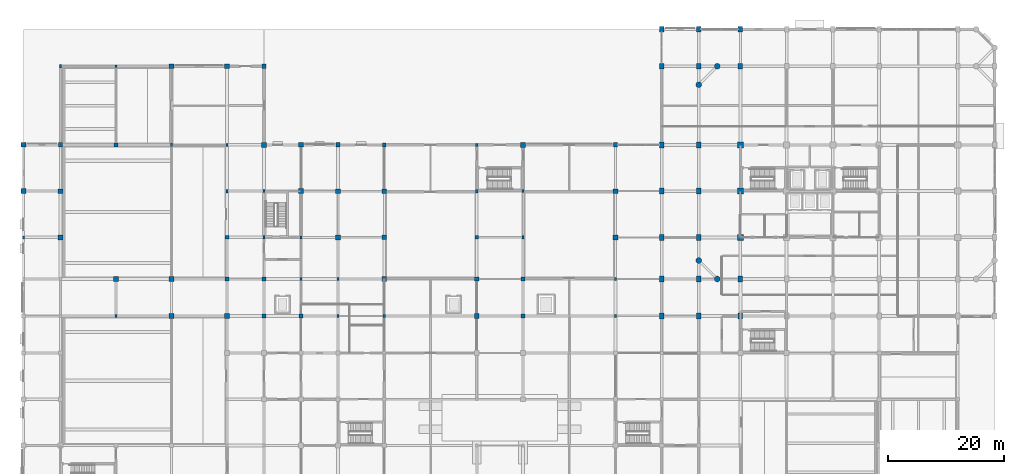
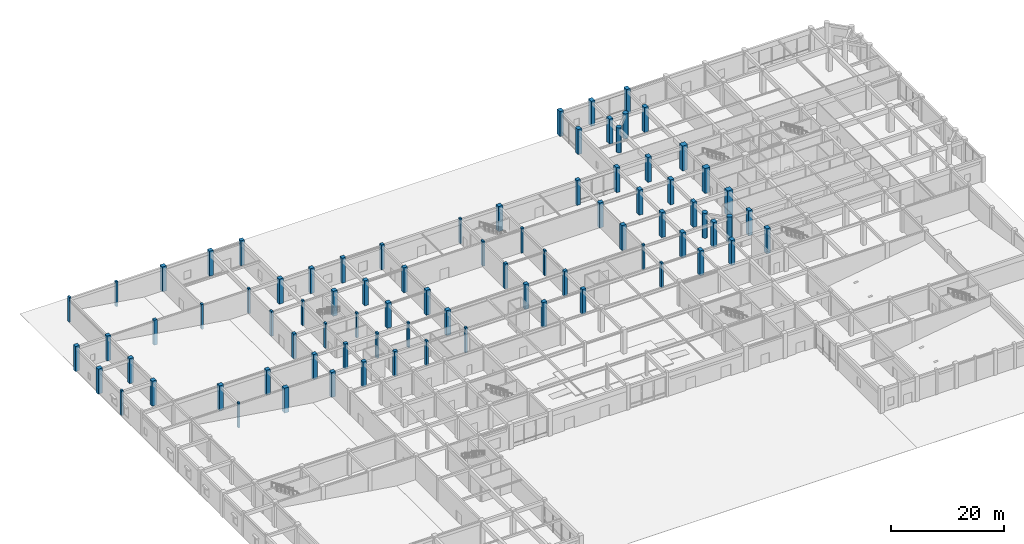
# One storey, part 2 of 40: 82 columns.
"""IFC4 building model written with IfcOpenShell, lengths in metres."""

from ifc_helpers import new_model, si_unit, direction, frame, origin, origin_2d, place, context, subcontext, project, spatial, rectangle, circle, extrude, material, material_profile, profile_set, type_object, element, save


model = new_model("IFC4")

# Units and contexts
model_context = context("Model", 3, precision=1e-05, world=origin(), true_north=direction((0.0, 1.0)))
body_context = subcontext(model_context, "Body", "Model", "MODEL_VIEW")
ifc_project = project(units=[si_unit("LENGTHUNIT", "METRE"), si_unit("AREAUNIT", "SQUARE_METRE"), si_unit("VOLUMEUNIT", "CUBIC_METRE"), si_unit("PLANEANGLEUNIT", "RADIAN"), si_unit("MASSUNIT", "GRAM", prefix="KILO")], contexts=[model_context])

# Site, building, storey
site_placement = place(None, origin())
site = spatial("IfcSite", under=ifc_project, at=site_placement, CompositionType="ELEMENT")
building_placement = place(site_placement, origin())
building = spatial("IfcBuilding", under=site, at=building_placement, Name="Vellmiral Cinema and Media Centre", CompositionType="ELEMENT")
storey_placement = place(building_placement, origin())
storey = spatial("IfcBuildingStorey", under=building, at=storey_placement, Name="L00", CompositionType="ELEMENT", Elevation=0.0)

# Columns
ifc_material_1 = material(Name="Concrete C40/50", Category="concrete")
ifc_material_profile_1 = material_profile(ifc_material_1, rectangle(XDim=1.050048828125, YDim=1.050048828125, at=origin_2d()), Name="RC 1050x1050")
ifc_profile_set_1 = profile_set([ifc_material_profile_1], Name="Concrete C40/50")
column_type_1 = type_object("IfcColumnType", Name="COL-RC-1050x1050", PredefinedType="COLUMN", material=ifc_profile_set_1)
for number, where, z_axis, x_axis, name in (
    (1, (124.0, 79.199951171875, 0.0), (0.0, 0.0, 1.0), (1.0, 0.0, 0.0), "Column L00-160"),
    (2, (124.0, 87.199951171875, 0.0), (0.0, 0.0, 1.0), (1.0, 0.0, 0.0), "Column L00-161"),
    (3, (124.0, 95.199951171875, 0.0), (0.0, 0.0, 1.0), (1.0, 0.0, 0.0), "Column L00-162"),
):
    element("IfcColumn", number, at=place(storey_placement, frame(where, z_axis=z_axis, x_axis=x_axis)), inside=storey, type_object=column_type_1, Name=name, PredefinedType="COLUMN", context=body_context, shape_type="SweptSolid", body=[
        extrude(rectangle(XDim=1.050048828125, YDim=1.050048828125, at=origin_2d()), origin(), (0.0, 0.0, 1.0), 5.39990234375),
    ])
ifc_material_2 = material(Name="Concrete C40/50", Category="concrete")
ifc_material_profile_2 = material_profile(ifc_material_2, rectangle(XDim=0.39990234375, YDim=0.5, at=origin_2d()), Name="RC 400x500")
ifc_profile_set_2 = profile_set([ifc_material_profile_2], Name="Concrete C40/50")
column_type_2 = type_object("IfcColumnType", Name="COL-RC-400x500", PredefinedType="COLUMN", material=ifc_profile_set_2)
for number, where, z_axis, x_axis, name in (
    (4, (0.0, 79.199951171875, 0.0), (0.0, 0.0, 1.0), (1.0, 0.0, 0.0), "Column L00-009"),
    (5, (16.0, 65.60009765625, 0.0), (0.0, 0.0, 1.0), (1.0, 0.0, 0.0), "Column L00-029"),
    (6, (16.0, 108.800048828125, 0.0), (0.0, 0.0, 1.0), (1.0, 0.0, 0.0), "Column L00-032"),
    (7, (35.199951171875, 95.199951171875, 0.0), (0.0, 0.0, 1.0), (1.0, 0.0, 0.0), "Column L00-052"),
    (8, (41.60009765625, 87.199951171875, 0.0), (0.0, 0.0, 1.0), (1.0, 0.0, 0.0), "Column L00-064"),
    (9, (48.0, 79.199951171875, 0.0), (0.0, 0.0, 1.0), (1.0, 0.0, 0.0), "Column L00-076"),
    (10, (54.39990234375, 72.0, 0.0), (0.0, 0.0, 1.0), (1.0, 0.0, 0.0), "Column L00-084"),
    (11, (62.39990234375, 65.60009765625, 0.0), (0.0, 0.0, 1.0), (1.0, 0.0, 0.0), "Column L00-092"),
    (12, (78.39990234375, 95.199951171875, 0.0), (0.0, 0.0, 1.0), (1.0, 0.0, 0.0), "Column L00-105"),
    (13, (86.39990234375, 87.199951171875, 0.0), (0.0, 0.0, 1.0), (1.0, 0.0, 0.0), "Column L00-113"),
    (14, (102.39990234375, 72.0, 0.0), (0.0, 0.0, 1.0), (1.0, 0.0, 0.0), "Column L00-120"),
):
    element("IfcColumn", number, at=place(storey_placement, frame(where, z_axis=z_axis, x_axis=x_axis)), inside=storey, type_object=column_type_2, Name=name, PredefinedType="COLUMN", context=body_context, shape_type="SweptSolid", body=[
        extrude(rectangle(XDim=0.39990234375, YDim=0.5, at=origin_2d()), origin(), (0.0, 0.0, 1.0), 5.39990234375),
    ])
ifc_material_3 = material(Name="Concrete C40/50", Category="concrete")
ifc_material_profile_3 = material_profile(ifc_material_3, rectangle(XDim=0.39990234375, YDim=0.60009765625, at=origin_2d()), Name="RC 400x600")
ifc_profile_set_3 = profile_set([ifc_material_profile_3], Name="Concrete C40/50")
column_type_3 = type_object("IfcColumnType", Name="COL-RC-400x600", PredefinedType="COLUMN", material=ifc_profile_set_3)
for number, where, z_axis, x_axis, name in (
    (15, (6.39990234375, 108.800048828125, 0.0), (0.0, 0.0, 1.0), (1.0, 0.0, 0.0), "Column L00-024"),
    (16, (25.60009765625, 95.199951171875, 0.0), (0.0, 0.0, 1.0), (1.0, 0.0, 0.0), "Column L00-039"),
    (17, (35.199951171875, 87.199951171875, 0.0), (0.0, 0.0, 1.0), (1.0, 0.0, 0.0), "Column L00-051"),
    (18, (41.60009765625, 79.199951171875, 0.0), (0.0, 0.0, 1.0), (1.0, 0.0, 0.0), "Column L00-063"),
    (19, (48.0, 72.0, 0.0), (0.0, 0.0, 1.0), (1.0, 0.0, 0.0), "Column L00-075"),
    (20, (54.39990234375, 65.60009765625, 0.0), (0.0, 0.0, 1.0), (1.0, 0.0, 0.0), "Column L00-083"),
    (21, (78.39990234375, 87.199951171875, 0.0), (0.0, 0.0, 1.0), (1.0, 0.0, 0.0), "Column L00-104"),
    (22, (86.39990234375, 79.199951171875, 0.0), (0.0, 0.0, 1.0), (1.0, 0.0, 0.0), "Column L00-112"),
    (23, (102.39990234375, 65.60009765625, 0.0), (0.0, 0.0, 1.0), (1.0, 0.0, 0.0), "Column L00-119"),
):
    element("IfcColumn", number, at=place(storey_placement, frame(where, z_axis=z_axis, x_axis=x_axis)), inside=storey, type_object=column_type_3, Name=name, PredefinedType="COLUMN", context=body_context, shape_type="SweptSolid", body=[
        extrude(rectangle(XDim=0.39990234375, YDim=0.60009765625, at=origin_2d()), origin(), (0.0, 0.0, 1.0), 5.39990234375),
    ])
ifc_material_4 = material(Name="Concrete C40/50", Category="concrete")
ifc_material_profile_4 = material_profile(ifc_material_4, rectangle(XDim=0.64990234375, YDim=0.64990234375, at=origin_2d()), Name="RC 650x650")
ifc_profile_set_4 = profile_set([ifc_material_profile_4], Name="Concrete C40/50")
column_type_4 = type_object("IfcColumnType", Name="COL-RC-650x650", PredefinedType="COLUMN", material=ifc_profile_set_4)
for number, where, z_axis, x_axis, name in (
    (24, (16.0, 95.199951171875, 0.0), (0.0, 0.0, 1.0), (1.0, 0.0, 0.0), "Column L00-031"),
    (25, (35.199951171875, 79.199951171875, 0.0), (0.0, 0.0, 1.0), (1.0, 0.0, 0.0), "Column L00-050"),
    (26, (41.60009765625, 72.0, 0.0), (0.0, 0.0, 1.0), (1.0, 0.0, 0.0), "Column L00-062"),
    (27, (48.0, 65.60009765625, 0.0), (0.0, 0.0, 1.0), (1.0, 0.0, 0.0), "Column L00-074"),
    (28, (62.39990234375, 95.199951171875, 0.0), (0.0, 0.0, 1.0), (1.0, 0.0, 0.0), "Column L00-096"),
    (29, (78.39990234375, 79.199951171875, 0.0), (0.0, 0.0, 1.0), (1.0, 0.0, 0.0), "Column L00-103"),
    (30, (86.39990234375, 72.0, 0.0), (0.0, 0.0, 1.0), (1.0, 0.0, 0.0), "Column L00-111"),
):
    element("IfcColumn", number, at=place(storey_placement, frame(where, z_axis=z_axis, x_axis=x_axis)), inside=storey, type_object=column_type_4, Name=name, PredefinedType="COLUMN", context=body_context, shape_type="SweptSolid", body=[
        extrude(rectangle(XDim=0.64990234375, YDim=0.64990234375, at=origin_2d()), origin(), (0.0, 0.0, 1.0), 5.39990234375),
    ])
ifc_material_5 = material(Name="Concrete C40/50", Category="concrete")
ifc_material_profile_5 = material_profile(ifc_material_5, rectangle(XDim=0.75, YDim=1.0, at=origin_2d()), Name="RC 750x1000")
ifc_profile_set_5 = profile_set([ifc_material_profile_5], Name="Concrete C40/50")
column_type_5 = type_object("IfcColumnType", Name="COL-RC-750x1000", PredefinedType="COLUMN", material=ifc_profile_set_5)
for number, where, z_axis, x_axis, name in (
    (31, (110.39990234375, 65.60009765625, 0.0), (0.0, 0.0, 1.0), (1.0, 0.0, 0.0), "Column L00-128"),
    (32, (110.39990234375, 72.0, 0.0), (0.0, 0.0, 1.0), (1.0, 0.0, 0.0), "Column L00-129"),
    (33, (110.39990234375, 79.199951171875, 0.0), (0.0, 0.0, 1.0), (1.0, 0.0, 0.0), "Column L00-130"),
    (34, (110.39990234375, 87.199951171875, 0.0), (0.0, 0.0, 1.0), (1.0, 0.0, 0.0), "Column L00-131"),
    (35, (110.39990234375, 95.199951171875, 0.0), (0.0, 0.0, 1.0), (1.0, 0.0, 0.0), "Column L00-132"),
    (36, (110.39990234375, 108.800048828125, 0.0), (0.0, 0.0, 1.0), (1.0, 0.0, 0.0), "Column L00-133"),
    (37, (110.39990234375, 115.199951171875, 0.0), (0.0, 0.0, 1.0), (1.0, 0.0, 0.0), "Column L00-134"),
    (38, (116.800048828125, 65.60009765625, 0.0), (0.0, 0.0, 1.0), (1.0, 0.0, 0.0), "Column L00-141"),
    (39, (116.800048828125, 72.0, 0.0), (0.0, 0.0, 1.0), (1.0, 0.0, 0.0), "Column L00-142"),
    (40, (116.800048828125, 79.199951171875, 0.0), (0.0, 0.0, 1.0), (1.0, 0.0, 0.0), "Column L00-144"),
    (41, (116.800048828125, 87.199951171875, 0.0), (0.0, 0.0, 1.0), (1.0, 0.0, 0.0), "Column L00-145"),
    (42, (116.800048828125, 95.199951171875, 0.0), (0.0, 0.0, 1.0), (1.0, 0.0, 0.0), "Column L00-146"),
    (43, (116.800048828125, 108.800048828125, 0.0), (0.0, 0.0, 1.0), (1.0, 0.0, 0.0), "Column L00-148"),
    (44, (116.800048828125, 115.199951171875, 0.0), (0.0, 0.0, 1.0), (1.0, 0.0, 0.0), "Column L00-149"),
    (45, (124.0, 65.60009765625, 0.0), (0.0, 0.0, 1.0), (1.0, 0.0, 0.0), "Column L00-158"),
    (46, (124.0, 72.0, 0.0), (0.0, 0.0, 1.0), (1.0, 0.0, 0.0), "Column L00-159"),
    (47, (124.0, 108.800048828125, 0.0), (0.0, 0.0, 1.0), (1.0, 0.0, 0.0), "Column L00-163"),
    (48, (124.0, 115.199951171875, 0.0), (0.0, 0.0, 1.0), (1.0, 0.0, 0.0), "Column L00-164"),
):
    element("IfcColumn", number, at=place(storey_placement, frame(where, z_axis=z_axis, x_axis=x_axis)), inside=storey, type_object=column_type_5, Name=name, PredefinedType="COLUMN", context=body_context, shape_type="SweptSolid", body=[
        extrude(rectangle(XDim=0.75, YDim=1.0, at=origin_2d()), origin(), (0.0, 0.0, 1.0), 5.39990234375),
    ])
ifc_material_6 = material(Name="Concrete C40/50", Category="concrete")
ifc_material_profile_6 = material_profile(ifc_material_6, rectangle(XDim=0.75, YDim=0.75, at=origin_2d()), Name="RC 750x750")
ifc_profile_set_6 = profile_set([ifc_material_profile_6], Name="Concrete C40/50")
column_type_6 = type_object("IfcColumnType", Name="COL-RC-750x750", PredefinedType="COLUMN", material=ifc_profile_set_6)
for number, where, z_axis, x_axis, name in (
    (49, (6.39990234375, 95.199951171875, 0.0), (0.0, 0.0, 1.0), (1.0, 0.0, 0.0), "Column L00-023"),
    (50, (35.199951171875, 72.0, 0.0), (0.0, 0.0, 1.0), (1.0, 0.0, 0.0), "Column L00-049"),
    (51, (41.60009765625, 65.60009765625, 0.0), (0.0, 0.0, 1.0), (1.0, 0.0, 0.0), "Column L00-061"),
    (52, (41.60009765625, 108.800048828125, 0.0), (0.0, 0.0, 1.0), (1.0, 0.0, 0.0), "Column L00-066"),
    (53, (54.39990234375, 95.199951171875, 0.0), (0.0, 0.0, 1.0), (1.0, 0.0, 0.0), "Column L00-087"),
    (54, (62.39990234375, 87.199951171875, 0.0), (0.0, 0.0, 1.0), (1.0, 0.0, 0.0), "Column L00-095"),
    (55, (78.39990234375, 72.0, 0.0), (0.0, 0.0, 1.0), (1.0, 0.0, 0.0), "Column L00-102"),
    (56, (86.39990234375, 65.60009765625, 0.0), (0.0, 0.0, 1.0), (1.0, 0.0, 0.0), "Column L00-110"),
    (57, (102.39990234375, 95.199951171875, 0.0), (0.0, 0.0, 1.0), (1.0, 0.0, 0.0), "Column L00-123"),
):
    element("IfcColumn", number, at=place(storey_placement, frame(where, z_axis=z_axis, x_axis=x_axis)), inside=storey, type_object=column_type_6, Name=name, PredefinedType="COLUMN", context=body_context, shape_type="SweptSolid", body=[
        extrude(rectangle(XDim=0.75, YDim=0.75, at=origin_2d()), origin(), (0.0, 0.0, 1.0), 5.39990234375),
    ])
ifc_material_7 = material(Name="Concrete C40/50", Category="concrete")
ifc_material_profile_7 = material_profile(ifc_material_7, rectangle(XDim=0.800048828125, YDim=0.800048828125, at=origin_2d()), Name="RC 800x800")
ifc_profile_set_7 = profile_set([ifc_material_profile_7], Name="Concrete C40/50")
column_type_7 = type_object("IfcColumnType", Name="COL-RC-800x800", PredefinedType="COLUMN", material=ifc_profile_set_7)
for number, where, z_axis, x_axis, name in (
    (58, (0.0, 95.199951171875, 0.0), (0.0, 0.0, 1.0), (1.0, 0.0, 0.0), "Column L00-011"),
    (59, (6.39990234375, 87.199951171875, 0.0), (0.0, 0.0, 1.0), (1.0, 0.0, 0.0), "Column L00-022"),
    (60, (25.60009765625, 72.0, 0.0), (0.0, 0.0, 1.0), (1.0, 0.0, 0.0), "Column L00-038"),
    (61, (35.199951171875, 65.60009765625, 0.0), (0.0, 0.0, 1.0), (1.0, 0.0, 0.0), "Column L00-048"),
    (62, (35.199951171875, 108.800048828125, 0.0), (0.0, 0.0, 1.0), (1.0, 0.0, 0.0), "Column L00-053"),
    (63, (48.0, 95.199951171875, 0.0), (0.0, 0.0, 1.0), (1.0, 0.0, 0.0), "Column L00-078"),
    (64, (54.39990234375, 87.199951171875, 0.0), (0.0, 0.0, 1.0), (1.0, 0.0, 0.0), "Column L00-086"),
    (65, (62.39990234375, 79.199951171875, 0.0), (0.0, 0.0, 1.0), (1.0, 0.0, 0.0), "Column L00-094"),
    (66, (78.39990234375, 65.60009765625, 0.0), (0.0, 0.0, 1.0), (1.0, 0.0, 0.0), "Column L00-101"),
    (67, (102.39990234375, 87.199951171875, 0.0), (0.0, 0.0, 1.0), (1.0, 0.0, 0.0), "Column L00-122"),
):
    element("IfcColumn", number, at=place(storey_placement, frame(where, z_axis=z_axis, x_axis=x_axis)), inside=storey, type_object=column_type_7, Name=name, PredefinedType="COLUMN", context=body_context, shape_type="SweptSolid", body=[
        extrude(rectangle(XDim=0.800048828125, YDim=0.800048828125, at=origin_2d()), origin(), (0.0, 0.0, 1.0), 5.39990234375),
    ])
ifc_material_8 = material(Name="Concrete C40/50", Category="concrete")
ifc_material_profile_8 = material_profile(ifc_material_8, rectangle(XDim=0.85009765625, YDim=0.85009765625, at=origin_2d()), Name="RC 850x850")
ifc_profile_set_8 = profile_set([ifc_material_profile_8], Name="Concrete C40/50")
column_type_8 = type_object("IfcColumnType", Name="COL-RC-850x850", PredefinedType="COLUMN", material=ifc_profile_set_8)
for number, where, z_axis, x_axis, name in (
    (68, (0.0, 87.199951171875, 0.0), (0.0, 0.0, 1.0), (1.0, 0.0, 0.0), "Column L00-010"),
    (69, (6.39990234375, 79.199951171875, 0.0), (0.0, 0.0, 1.0), (1.0, 0.0, 0.0), "Column L00-021"),
    (70, (16.0, 72.0, 0.0), (0.0, 0.0, 1.0), (1.0, 0.0, 0.0), "Column L00-030"),
    (71, (25.60009765625, 65.60009765625, 0.0), (0.0, 0.0, 1.0), (1.0, 0.0, 0.0), "Column L00-037"),
    (72, (25.60009765625, 108.800048828125, 0.0), (0.0, 0.0, 1.0), (1.0, 0.0, 0.0), "Column L00-040"),
    (73, (41.60009765625, 95.199951171875, 0.0), (0.0, 0.0, 1.0), (1.0, 0.0, 0.0), "Column L00-065"),
    (74, (48.0, 87.199951171875, 0.0), (0.0, 0.0, 1.0), (1.0, 0.0, 0.0), "Column L00-077"),
    (75, (54.39990234375, 79.199951171875, 0.0), (0.0, 0.0, 1.0), (1.0, 0.0, 0.0), "Column L00-085"),
    (76, (62.39990234375, 72.0, 0.0), (0.0, 0.0, 1.0), (1.0, 0.0, 0.0), "Column L00-093"),
    (77, (86.39990234375, 95.199951171875, 0.0), (0.0, 0.0, 1.0), (1.0, 0.0, 0.0), "Column L00-114"),
    (78, (102.39990234375, 79.199951171875, 0.0), (0.0, 0.0, 1.0), (1.0, 0.0, 0.0), "Column L00-121"),
):
    element("IfcColumn", number, at=place(storey_placement, frame(where, z_axis=z_axis, x_axis=x_axis)), inside=storey, type_object=column_type_8, Name=name, PredefinedType="COLUMN", context=body_context, shape_type="SweptSolid", body=[
        extrude(rectangle(XDim=0.85009765625, YDim=0.85009765625, at=origin_2d()), origin(), (0.0, 0.0, 1.0), 5.39990234375),
    ])
ifc_material_9 = material(Name="Concrete C40/50", Category="concrete")
ifc_material_profile_9 = material_profile(ifc_material_9, circle(Radius=0.5, at=origin_2d()), Name="RC D1000")
ifc_profile_set_9 = profile_set([ifc_material_profile_9], Name="Concrete C40/50")
column_type_9 = type_object("IfcColumnType", Name="COL-RCC-D1000", PredefinedType="COLUMN", material=ifc_profile_set_9)
for number, where, z_axis, x_axis, name in (
    (79, (116.800048828125, 75.199951171875, 0.0), (0.0, 0.0, 1.0), (1.0, 0.0, 0.0), "Column L00-143"),
    (80, (116.800048828125, 105.60009765625, 0.0), (0.0, 0.0, 1.0), (1.0, 0.0, 0.0), "Column L00-147"),
    (81, (120.0, 72.0, 0.0), (0.0, 0.0, 1.0), (1.0, 0.0, 0.0), "Column L00-150"),
    (82, (120.0, 108.800048828125, 0.0), (0.0, 0.0, 1.0), (1.0, 0.0, 0.0), "Column L00-151"),
):
    element("IfcColumn", number, at=place(storey_placement, frame(where, z_axis=z_axis, x_axis=x_axis)), inside=storey, type_object=column_type_9, Name=name, PredefinedType="COLUMN", context=body_context, shape_type="SweptSolid", body=[
        extrude(circle(Radius=0.5, at=origin_2d()), origin(), (0.0, 0.0, 1.0), 5.39990234375),
    ])

save(model, "model.ifc")
